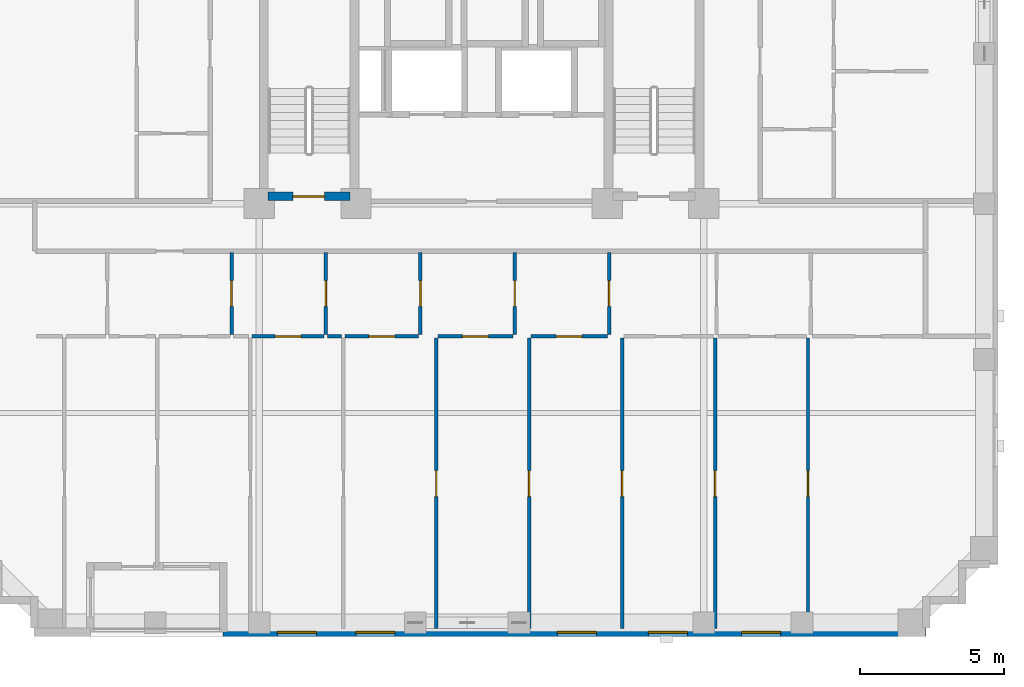
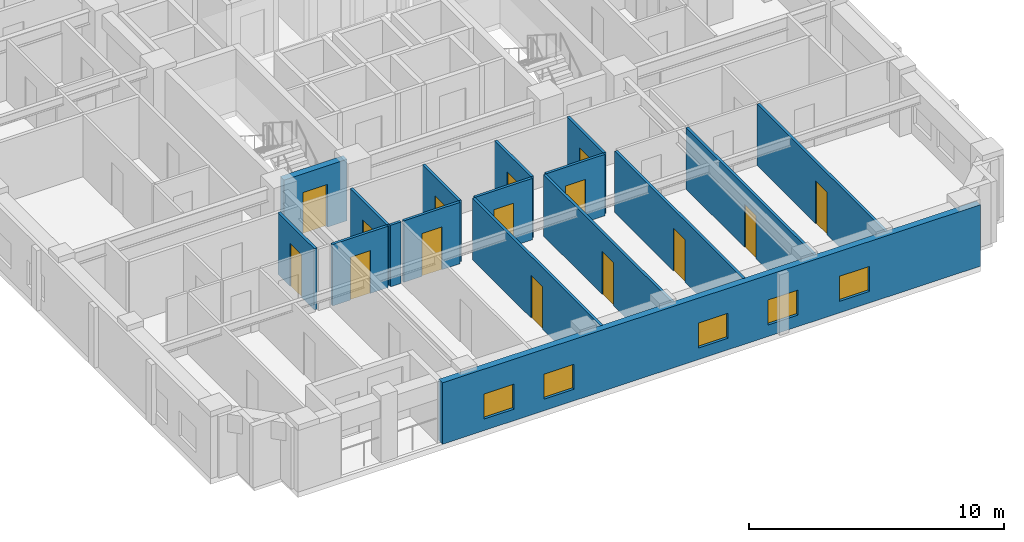
# One storey, part 3 of 13: 17 walls, 15 doors, 5 windows, 20 openings.
"""IFC4 building model written with IfcOpenShell, lengths in metres."""

from ifc_helpers import new_model, si_unit, derived_unit, direction, frame, frame_2d, origin, place, context, subcontext, project, spatial, rectangle, extrude, material, layer, layer_set, type_object, element, fill, save


model = new_model("IFC4")

# Units and contexts
model_context = context("Model", 3, precision=1e-05, world=origin(), true_north=direction((0.0, 1.0)))
body_context = subcontext(model_context, "Body", "Model", "MODEL_VIEW")
ifc_project = project(units=[si_unit("LENGTHUNIT", "METRE"), si_unit("AREAUNIT", "SQUARE_METRE"), si_unit("VOLUMEUNIT", "CUBIC_METRE"), si_unit("PLANEANGLEUNIT", "RADIAN"), si_unit("MASSUNIT", "GRAM", prefix="KILO"), derived_unit("THERMALTRANSMITTANCEUNIT", [(si_unit("MASSUNIT", "GRAM", prefix="KILO"), 1), (si_unit("TIMEUNIT", "SECOND"), -3), (si_unit("THERMODYNAMICTEMPERATUREUNIT", "KELVIN"), -1)])], contexts=[model_context])

# Site, building, storey
site_placement = place(None, origin())
site = spatial("IfcSite", under=ifc_project, at=site_placement, CompositionType="ELEMENT")
building_placement = place(site_placement, origin())
building = spatial("IfcBuilding", under=site, at=building_placement, Name="Korrvale Station Residences", CompositionType="ELEMENT")
storey_placement = place(building_placement, frame((0.0, 0.0, 97.5)))
storey = spatial("IfcBuildingStorey", under=building, at=storey_placement, Name="L27", CompositionType="ELEMENT", Elevation=97.5)

# Wall, opening, door
ifc_material_1 = material(Name="Concrete C60/75", Category="concrete")
ifc_layer_1 = layer(ifc_material_1, 0.300048828125, Name="Concrete C60/75")
ifc_layer_set_1 = layer_set([ifc_layer_1], Name="Concrete C60/75")
wall_type_1 = type_object("IfcWallType", Name="WAL-CORE-300-C60", PredefinedType="SHEAR", material=ifc_layer_set_1)
wall_1_placement = place(storey_placement, frame((18.10009765625, 15.25, 0.0), z_axis=(0.0, 0.0, 1.0), x_axis=(1.0, 0.0, 0.0)))
wall_1 = element("IfcWall", 1, at=wall_1_placement, inside=storey, type_object=wall_type_1, Name="L27 ST-1 Core Shear Wall South", PredefinedType="SHEAR", context=body_context, shape_type="SweptSolid", body=[
    extrude(rectangle(XDim=2.849853515625, YDim=0.300048828125, at=frame_2d((1.4248046875, 0.0))), origin(), (0.0, 0.0, 1.0), 2.93994140625),
])
opening_1_placement = place(wall_1_placement, frame((0.860107421875, 0.0, 0.0)))
opening_1 = element("IfcOpeningElement", 2, at=opening_1_placement, cuts=wall_1, Name="Opening SD-1100", PredefinedType="OPENING", context=body_context, shape_type="SweptSolid", body=[
    extrude(rectangle(XDim=1.10009765625, YDim=2.050048828125, at=frame_2d((0.550048828125, 1.02490234375))), frame((0.0, 0.16015625, 0.0), z_axis=(0.0, -1.0, 0.0), x_axis=(1.0, 0.0, 0.0)), (0.0, 0.0, 1.0), 0.320068359375),
])
ifc_material_2 = material(Name="Hollow-metal fire-rated stair door with closer", Category="steel")
door_type_1 = type_object("IfcDoorType", Name="DR-STAIR-1100", OperationType="NOTDEFINED", PredefinedType="DOOR", material=ifc_material_2)
door_1_placement = place(opening_1_placement, origin())
door_1 = element("IfcDoor", 3, at=door_1_placement, inside=storey, type_object=door_type_1, Name="L27 ST-1 Exit Stair Door", OperationType="SINGLE_SWING_LEFT", OverallHeight=2.050048828125, OverallWidth=1.10009765625, PredefinedType="DOOR", context=body_context, shape_type="SweptSolid", body=[
    extrude(rectangle(XDim=1.10009765625, YDim=2.050048828125, at=frame_2d((0.550048828125, 1.02490234375))), frame((0.0, 0.02490234375, 0.0), z_axis=(0.0, -1.0, 0.0), x_axis=(1.0, 0.0, 0.0)), (0.0, 0.0, 1.0), 0.050048828125),
])
fill(opening_1, door_1)

# Wall, openings, windows
ifc_material_3 = material(Name="Precast concrete C45/55", Category="concrete")
ifc_layer_2 = layer(ifc_material_3, 0.300048828125, Name="Precast concrete C45/55")
ifc_layer_set_2 = layer_set([ifc_layer_2], Name="Precast concrete C45/55")
wall_type_2 = type_object("IfcWallType", Name="WAL-EXT-PC300", PredefinedType="SOLIDWALL", material=ifc_layer_set_2)
wall_2_placement = place(storey_placement, frame((40.89990234375, 0.14990234375, 0.0), z_axis=(0.0, 0.0, 1.0), x_axis=(-1.0, 0.0, 0.0)))
wall_2 = element("IfcWall", 4, at=wall_2_placement, inside=storey, type_object=wall_type_2, Name="L27 South Exterior Precast Wall 1", PredefinedType="SOLIDWALL", context=body_context, shape_type="SweptSolid", body=[
    extrude(rectangle(XDim=24.349853515625, YDim=0.300048828125, at=frame_2d((12.1748046875, 0.0))), origin(), (0.0, 0.0, 1.0), 2.93994140625),
])
opening_2_placement = place(wall_2_placement, frame((21.118896484375, 0.0, 0.550048828125)))
opening_2 = element("IfcOpeningElement", 5, at=opening_2_placement, cuts=wall_2, Name="Opening W-10", PredefinedType="OPENING", context=body_context, shape_type="SweptSolid", body=[
    extrude(rectangle(XDim=1.35009765625, YDim=1.199951171875, at=frame_2d((0.675048828125, 0.60009765625))), frame((0.0, 0.16015625, 0.0), z_axis=(0.0, -1.0, 0.0), x_axis=(1.0, 0.0, 0.0)), (0.0, 0.0, 1.0), 0.320068359375),
])
opening_3_placement = place(wall_2_placement, frame((18.39990234375, 0.0, 0.550048828125)))
opening_3 = element("IfcOpeningElement", 6, at=opening_3_placement, cuts=wall_2, Name="Opening W-10", PredefinedType="OPENING", context=body_context, shape_type="SweptSolid", body=[
    extrude(rectangle(XDim=1.35009765625, YDim=1.199951171875, at=frame_2d((0.675048828125, 0.60009765625))), frame((0.0, 0.16015625, 0.0), z_axis=(0.0, -1.0, 0.0), x_axis=(1.0, 0.0, 0.0)), (0.0, 0.0, 1.0), 0.320068359375),
])
opening_4_placement = place(wall_2_placement, frame((11.424072265625, 0.0, 0.550048828125)))
opening_4 = element("IfcOpeningElement", 7, at=opening_4_placement, cuts=wall_2, Name="Opening W-10", PredefinedType="OPENING", context=body_context, shape_type="SweptSolid", body=[
    extrude(rectangle(XDim=1.35009765625, YDim=1.199951171875, at=frame_2d((0.675048828125, 0.60009765625))), frame((0.0, 0.16015625, 0.0), z_axis=(0.0, -1.0, 0.0), x_axis=(1.0, 0.0, 0.0)), (0.0, 0.0, 1.0), 0.320068359375),
])
opening_5_placement = place(wall_2_placement, frame((8.26806640625, 0.0, 0.550048828125)))
opening_5 = element("IfcOpeningElement", 8, at=opening_5_placement, cuts=wall_2, Name="Opening W-10", PredefinedType="OPENING", context=body_context, shape_type="SweptSolid", body=[
    extrude(rectangle(XDim=1.35009765625, YDim=1.199951171875, at=frame_2d((0.675048828125, 0.60009765625))), frame((0.0, 0.16015625, 0.0), z_axis=(0.0, -1.0, 0.0), x_axis=(1.0, 0.0, 0.0)), (0.0, 0.0, 1.0), 0.320068359375),
])
opening_6_placement = place(wall_2_placement, frame((5.037109375, 0.0, 0.550048828125)))
opening_6 = element("IfcOpeningElement", 9, at=opening_6_placement, cuts=wall_2, Name="Opening W-10", PredefinedType="OPENING", context=body_context, shape_type="SweptSolid", body=[
    extrude(rectangle(XDim=1.35009765625, YDim=1.199951171875, at=frame_2d((0.675048828125, 0.60009765625))), frame((0.0, 0.16015625, 0.0), z_axis=(0.0, -1.0, 0.0), x_axis=(1.0, 0.0, 0.0)), (0.0, 0.0, 1.0), 0.320068359375),
])
ifc_material_4 = material(Name="Thermally broken aluminium frame with triple low-e glazing", Category="aluminium")
window_type = type_object("IfcWindowType", Name="WIN-W10", PartitioningType="SINGLE_PANEL", PredefinedType="WINDOW", material=ifc_material_4)
window_1_placement = place(opening_2_placement, origin())
window_1 = element("IfcWindow", 10, at=window_1_placement, inside=storey, type_object=window_type, Name="L27 Punched Window 05", OverallHeight=1.199951171875, OverallWidth=1.35009765625, PartitioningType="SINGLE_PANEL", PredefinedType="WINDOW", context=body_context, shape_type="SweptSolid", body=[
    extrude(rectangle(XDim=1.35009765625, YDim=1.199951171875, at=frame_2d((0.675048828125, 0.60009765625))), frame((0.0, 0.030029296875, 0.0), z_axis=(0.0, -1.0, 0.0), x_axis=(1.0, 0.0, 0.0)), (0.0, 0.0, 1.0), 0.06005859375),
])
fill(opening_2, window_1)
window_2_placement = place(opening_3_placement, origin())
window_2 = element("IfcWindow", 11, at=window_2_placement, inside=storey, type_object=window_type, Name="L27 Punched Window 06", OverallHeight=1.199951171875, OverallWidth=1.35009765625, PartitioningType="SINGLE_PANEL", PredefinedType="WINDOW", context=body_context, shape_type="SweptSolid", body=[
    extrude(rectangle(XDim=1.35009765625, YDim=1.199951171875, at=frame_2d((0.675048828125, 0.60009765625))), frame((0.0, 0.030029296875, 0.0), z_axis=(0.0, -1.0, 0.0), x_axis=(1.0, 0.0, 0.0)), (0.0, 0.0, 1.0), 0.06005859375),
])
fill(opening_3, window_2)
window_3_placement = place(opening_4_placement, origin())
window_3 = element("IfcWindow", 12, at=window_3_placement, inside=storey, type_object=window_type, Name="L27 Punched Window 07", OverallHeight=1.199951171875, OverallWidth=1.35009765625, PartitioningType="SINGLE_PANEL", PredefinedType="WINDOW", context=body_context, shape_type="SweptSolid", body=[
    extrude(rectangle(XDim=1.35009765625, YDim=1.199951171875, at=frame_2d((0.675048828125, 0.60009765625))), frame((0.0, 0.030029296875, 0.0), z_axis=(0.0, -1.0, 0.0), x_axis=(1.0, 0.0, 0.0)), (0.0, 0.0, 1.0), 0.06005859375),
])
fill(opening_4, window_3)
window_4_placement = place(opening_5_placement, origin())
window_4 = element("IfcWindow", 13, at=window_4_placement, inside=storey, type_object=window_type, Name="L27 Punched Window 08", OverallHeight=1.199951171875, OverallWidth=1.35009765625, PartitioningType="SINGLE_PANEL", PredefinedType="WINDOW", context=body_context, shape_type="SweptSolid", body=[
    extrude(rectangle(XDim=1.35009765625, YDim=1.199951171875, at=frame_2d((0.675048828125, 0.60009765625))), frame((0.0, 0.030029296875, 0.0), z_axis=(0.0, -1.0, 0.0), x_axis=(1.0, 0.0, 0.0)), (0.0, 0.0, 1.0), 0.06005859375),
])
fill(opening_5, window_4)
window_5_placement = place(opening_6_placement, origin())
window_5 = element("IfcWindow", 14, at=window_5_placement, inside=storey, type_object=window_type, Name="L27 Punched Window 09", OverallHeight=1.199951171875, OverallWidth=1.35009765625, PartitioningType="SINGLE_PANEL", PredefinedType="WINDOW", context=body_context, shape_type="SweptSolid", body=[
    extrude(rectangle(XDim=1.35009765625, YDim=1.199951171875, at=frame_2d((0.675048828125, 0.60009765625))), frame((0.0, 0.030029296875, 0.0), z_axis=(0.0, -1.0, 0.0), x_axis=(1.0, 0.0, 0.0)), (0.0, 0.0, 1.0), 0.06005859375),
])
fill(opening_6, window_5)

# Wall, opening, door
ifc_material_5 = material(Name="Acoustic steel-stud gypsum board partition", Category="steel")
ifc_layer_3 = layer(ifc_material_5, 0.1201171875, Name="Acoustic steel-stud gypsum board partition")
ifc_layer_set_3 = layer_set([ifc_layer_3], Name="Acoustic steel-stud gypsum board partition")
wall_type_3 = type_object("IfcWallType", Name="WAL-PART-125", PredefinedType="PARTITIONING", material=ifc_layer_set_3)
wall_3_placement = place(storey_placement, frame((16.840087890625, 10.4599609375, 0.0), z_axis=(0.0, 0.0, 1.0), x_axis=(0.0, 1.0, 0.0)))
wall_3 = element("IfcWall", 15, at=wall_3_placement, inside=storey, type_object=wall_type_3, Name="L27 Suite Partition U01-V12", PredefinedType="PARTITIONING", context=body_context, shape_type="SweptSolid", body=[
    extrude(rectangle(XDim=2.85009765625, YDim=0.1201171875, at=frame_2d((1.425048828125, 0.0))), origin(), (0.0, 0.0, 1.0), 2.93994140625),
])
opening_7_placement = place(wall_3_placement, frame((0.97509765625, 0.0, 0.0)))
opening_7 = element("IfcOpeningElement", 16, at=opening_7_placement, cuts=wall_3, Name="Opening DI-900", PredefinedType="OPENING", context=body_context, shape_type="SweptSolid", body=[
    extrude(rectangle(XDim=0.89990234375, YDim=2.050048828125, at=frame_2d((0.449951171875, 1.02490234375))), frame((0.0, 0.070068359375, 0.0), z_axis=(0.0, -1.0, 0.0), x_axis=(1.0, 0.0, 0.0)), (0.0, 0.0, 1.0), 0.14013671875),
])
ifc_material_6 = material(Name="Painted solid-core timber interior room door", Category="wood")
door_type_2 = type_object("IfcDoorType", Name="DR-INT-900", OperationType="NOTDEFINED", PredefinedType="DOOR", material=ifc_material_6)
door_2_placement = place(opening_7_placement, origin())
door_2 = element("IfcDoor", 17, at=door_2_placement, inside=storey, type_object=door_type_2, Name="L27 Studio Apartment L27-U01 Kitchen Door", OperationType="SINGLE_SWING_LEFT", OverallHeight=2.050048828125, OverallWidth=0.89990234375, PredefinedType="DOOR", context=body_context, shape_type="SweptSolid", body=[
    extrude(rectangle(XDim=0.89990234375, YDim=2.050048828125, at=frame_2d((0.449951171875, 1.02490234375))), frame((0.0, 0.02490234375, 0.0), z_axis=(0.0, -1.0, 0.0), x_axis=(1.0, 0.0, 0.0)), (0.0, 0.0, 1.0), 0.050048828125),
])
fill(opening_7, door_2)

wall_4_placement = place(storey_placement, frame((20.110107421875, 10.4599609375, 0.0), z_axis=(0.0, 0.0, 1.0), x_axis=(0.0, 1.0, 0.0)))
wall_4 = element("IfcWall", 18, at=wall_4_placement, inside=storey, type_object=wall_type_3, Name="L27 Suite Partition U01-V23", PredefinedType="PARTITIONING", context=body_context, shape_type="SweptSolid", body=[
    extrude(rectangle(XDim=2.85009765625, YDim=0.1201171875, at=frame_2d((1.425048828125, 0.0))), origin(), (0.0, 0.0, 1.0), 2.93994140625),
])
opening_8_placement = place(wall_4_placement, frame((0.97509765625, 0.0, 0.0)))
opening_8 = element("IfcOpeningElement", 19, at=opening_8_placement, cuts=wall_4, Name="Opening DI-900", PredefinedType="OPENING", context=body_context, shape_type="SweptSolid", body=[
    extrude(rectangle(XDim=0.89990234375, YDim=2.050048828125, at=frame_2d((0.449951171875, 1.02490234375))), frame((0.0, 0.070068359375, 0.0), z_axis=(0.0, -1.0, 0.0), x_axis=(1.0, 0.0, 0.0)), (0.0, 0.0, 1.0), 0.14013671875),
])
door_3_placement = place(opening_8_placement, origin())
door_3 = element("IfcDoor", 20, at=door_3_placement, inside=storey, type_object=door_type_2, Name="L27 Studio Apartment L27-U01 Home Study Room Door", OperationType="SINGLE_SWING_RIGHT", OverallHeight=2.050048828125, OverallWidth=0.89990234375, PredefinedType="DOOR", context=body_context, shape_type="SweptSolid", body=[
    extrude(rectangle(XDim=0.89990234375, YDim=2.050048828125, at=frame_2d((0.449951171875, 1.02490234375))), frame((0.0, 0.02490234375, 0.0), z_axis=(0.0, -1.0, 0.0), x_axis=(1.0, 0.0, 0.0)), (0.0, 0.0, 1.0), 0.050048828125),
])
fill(opening_8, door_3)

wall_5_placement = place(storey_placement, frame((17.550048828125, 10.39990234375, 0.0), z_axis=(0.0, 0.0, 1.0), x_axis=(1.0, 0.0, 0.0)))
wall_5 = element("IfcWall", 21, at=wall_5_placement, inside=storey, type_object=wall_type_3, Name="L27 Suite Partition U01-H212", PredefinedType="PARTITIONING", context=body_context, shape_type="SweptSolid", body=[
    extrude(rectangle(XDim=2.5, YDim=0.1201171875, at=frame_2d((1.25, 0.0))), origin(), (0.0, 0.0, 1.0), 2.93994140625),
])
opening_9_placement = place(wall_5_placement, frame((0.800048828125, 0.0, 0.0)))
opening_9 = element("IfcOpeningElement", 22, at=opening_9_placement, cuts=wall_5, Name="Opening DI-900", PredefinedType="OPENING", context=body_context, shape_type="SweptSolid", body=[
    extrude(rectangle(XDim=0.89990234375, YDim=2.050048828125, at=frame_2d((0.449951171875, 1.02490234375))), frame((0.0, 0.070068359375, 0.0), z_axis=(0.0, -1.0, 0.0), x_axis=(1.0, 0.0, 0.0)), (0.0, 0.0, 1.0), 0.14013671875),
])
door_4_placement = place(opening_9_placement, origin())
door_4 = element("IfcDoor", 23, at=door_4_placement, inside=storey, type_object=door_type_2, Name="L27 Studio Apartment L27-U01 Home Study Room Door", OperationType="SINGLE_SWING_LEFT", OverallHeight=2.050048828125, OverallWidth=0.89990234375, PredefinedType="DOOR", context=body_context, shape_type="SweptSolid", body=[
    extrude(rectangle(XDim=0.89990234375, YDim=2.050048828125, at=frame_2d((0.449951171875, 1.02490234375))), frame((0.0, 0.02490234375, 0.0), z_axis=(0.0, -1.0, 0.0), x_axis=(1.0, 0.0, 0.0)), (0.0, 0.0, 1.0), 0.050048828125),
])
fill(opening_9, door_4)

wall_6_placement = place(storey_placement, frame((23.3798828125, 10.4599609375, 0.0), z_axis=(0.0, 0.0, 1.0), x_axis=(0.0, 1.0, 0.0)))
wall_6 = element("IfcWall", 24, at=wall_6_placement, inside=storey, type_object=wall_type_3, Name="L27 Suite Partition U01-V34", PredefinedType="PARTITIONING", context=body_context, shape_type="SweptSolid", body=[
    extrude(rectangle(XDim=2.85009765625, YDim=0.1201171875, at=frame_2d((1.425048828125, 0.0))), origin(), (0.0, 0.0, 1.0), 2.93994140625),
])
opening_10_placement = place(wall_6_placement, frame((0.97509765625, 0.0, 0.0)))
opening_10 = element("IfcOpeningElement", 25, at=opening_10_placement, cuts=wall_6, Name="Opening DI-900", PredefinedType="OPENING", context=body_context, shape_type="SweptSolid", body=[
    extrude(rectangle(XDim=0.89990234375, YDim=2.050048828125, at=frame_2d((0.449951171875, 1.02490234375))), frame((0.0, 0.070068359375, 0.0), z_axis=(0.0, -1.0, 0.0), x_axis=(1.0, 0.0, 0.0)), (0.0, 0.0, 1.0), 0.14013671875),
])
door_5_placement = place(opening_10_placement, origin())
door_5 = element("IfcDoor", 26, at=door_5_placement, inside=storey, type_object=door_type_2, Name="L27 Studio Apartment L27-U01 Home Study Room Door", OperationType="SINGLE_SWING_RIGHT", OverallHeight=2.050048828125, OverallWidth=0.89990234375, PredefinedType="DOOR", context=body_context, shape_type="SweptSolid", body=[
    extrude(rectangle(XDim=0.89990234375, YDim=2.050048828125, at=frame_2d((0.449951171875, 1.02490234375))), frame((0.0, 0.02490234375, 0.0), z_axis=(0.0, -1.0, 0.0), x_axis=(1.0, 0.0, 0.0)), (0.0, 0.0, 1.0), 0.050048828125),
])
fill(opening_10, door_5)

# Wall
wall_7_placement = place(storey_placement, frame((20.169921875, 10.39990234375, 0.0), z_axis=(0.0, 0.0, 1.0), x_axis=(1.0, 0.0, 0.0)))
element("IfcWall", 27, at=wall_7_placement, inside=storey, type_object=wall_type_3, Name="L27 Suite Partition U01-H312", PredefinedType="PARTITIONING", context=body_context, shape_type="SweptSolid", body=[
    extrude(rectangle(XDim=0.47998046875, YDim=0.1201171875, at=frame_2d((0.239990234375, 0.0))), origin(), (0.0, 0.0, 1.0), 2.93994140625),
])

# Wall, opening, door
wall_8_placement = place(storey_placement, frame((20.77001953125, 10.39990234375, 0.0), z_axis=(0.0, 0.0, 1.0), x_axis=(1.0, 0.0, 0.0)))
wall_8 = element("IfcWall", 28, at=wall_8_placement, inside=storey, type_object=wall_type_3, Name="L27 Suite Partition U01-H313", PredefinedType="PARTITIONING", context=body_context, shape_type="SweptSolid", body=[
    extrude(rectangle(XDim=2.550048828125, YDim=0.1201171875, at=frame_2d((1.27490234375, 0.0))), origin(), (0.0, 0.0, 1.0), 2.93994140625),
])
opening_11_placement = place(wall_8_placement, frame((0.824951171875, 0.0, 0.0)))
opening_11 = element("IfcOpeningElement", 29, at=opening_11_placement, cuts=wall_8, Name="Opening DI-900", PredefinedType="OPENING", context=body_context, shape_type="SweptSolid", body=[
    extrude(rectangle(XDim=0.89990234375, YDim=2.050048828125, at=frame_2d((0.449951171875, 1.02490234375))), frame((0.0, 0.070068359375, 0.0), z_axis=(0.0, -1.0, 0.0), x_axis=(1.0, 0.0, 0.0)), (0.0, 0.0, 1.0), 0.14013671875),
])
door_6_placement = place(opening_11_placement, origin())
door_6 = element("IfcDoor", 30, at=door_6_placement, inside=storey, type_object=door_type_2, Name="L27 Studio Apartment L27-U01 Home Study Room Door", OperationType="SINGLE_SWING_LEFT", OverallHeight=2.050048828125, OverallWidth=0.89990234375, PredefinedType="DOOR", context=body_context, shape_type="SweptSolid", body=[
    extrude(rectangle(XDim=0.89990234375, YDim=2.050048828125, at=frame_2d((0.449951171875, 1.02490234375))), frame((0.0, 0.02490234375, 0.0), z_axis=(0.0, -1.0, 0.0), x_axis=(1.0, 0.0, 0.0)), (0.0, 0.0, 1.0), 0.050048828125),
])
fill(opening_11, door_6)

wall_9_placement = place(storey_placement, frame((26.64990234375, 10.4599609375, 0.0), z_axis=(0.0, 0.0, 1.0), x_axis=(0.0, 1.0, 0.0)))
wall_9 = element("IfcWall", 31, at=wall_9_placement, inside=storey, type_object=wall_type_3, Name="L27 Suite Partition U01-V45", PredefinedType="PARTITIONING", context=body_context, shape_type="SweptSolid", body=[
    extrude(rectangle(XDim=2.85009765625, YDim=0.1201171875, at=frame_2d((1.425048828125, 0.0))), origin(), (0.0, 0.0, 1.0), 2.93994140625),
])
opening_12_placement = place(wall_9_placement, frame((0.97509765625, 0.0, 0.0)))
opening_12 = element("IfcOpeningElement", 32, at=opening_12_placement, cuts=wall_9, Name="Opening DI-900", PredefinedType="OPENING", context=body_context, shape_type="SweptSolid", body=[
    extrude(rectangle(XDim=0.89990234375, YDim=2.050048828125, at=frame_2d((0.449951171875, 1.02490234375))), frame((0.0, 0.070068359375, 0.0), z_axis=(0.0, -1.0, 0.0), x_axis=(1.0, 0.0, 0.0)), (0.0, 0.0, 1.0), 0.14013671875),
])
door_7_placement = place(opening_12_placement, origin())
door_7 = element("IfcDoor", 33, at=door_7_placement, inside=storey, type_object=door_type_2, Name="L27 Studio Apartment L27-U01 Home Study Room Door", OperationType="SINGLE_SWING_RIGHT", OverallHeight=2.050048828125, OverallWidth=0.89990234375, PredefinedType="DOOR", context=body_context, shape_type="SweptSolid", body=[
    extrude(rectangle(XDim=0.89990234375, YDim=2.050048828125, at=frame_2d((0.449951171875, 1.02490234375))), frame((0.0, 0.02490234375, 0.0), z_axis=(0.0, -1.0, 0.0), x_axis=(1.0, 0.0, 0.0)), (0.0, 0.0, 1.0), 0.050048828125),
])
fill(opening_12, door_7)

wall_10_placement = place(storey_placement, frame((23.989990234375, 10.39990234375, 0.0), z_axis=(0.0, 0.0, 1.0), x_axis=(1.0, 0.0, 0.0)))
wall_10 = element("IfcWall", 34, at=wall_10_placement, inside=storey, type_object=wall_type_3, Name="L27 Suite Partition U01-H414", PredefinedType="PARTITIONING", context=body_context, shape_type="SweptSolid", body=[
    extrude(rectangle(XDim=2.60009765625, YDim=0.1201171875, at=frame_2d((1.300048828125, 0.0))), origin(), (0.0, 0.0, 1.0), 2.93994140625),
])
opening_13_placement = place(wall_10_placement, frame((0.85009765625, 0.0, 0.0)))
opening_13 = element("IfcOpeningElement", 35, at=opening_13_placement, cuts=wall_10, Name="Opening DI-900", PredefinedType="OPENING", context=body_context, shape_type="SweptSolid", body=[
    extrude(rectangle(XDim=0.89990234375, YDim=2.050048828125, at=frame_2d((0.449951171875, 1.02490234375))), frame((0.0, 0.070068359375, 0.0), z_axis=(0.0, -1.0, 0.0), x_axis=(1.0, 0.0, 0.0)), (0.0, 0.0, 1.0), 0.14013671875),
])
door_8_placement = place(opening_13_placement, origin())
door_8 = element("IfcDoor", 36, at=door_8_placement, inside=storey, type_object=door_type_2, Name="L27 Studio Apartment L27-U01 Home Study Room Door", OperationType="SINGLE_SWING_LEFT", OverallHeight=2.050048828125, OverallWidth=0.89990234375, PredefinedType="DOOR", context=body_context, shape_type="SweptSolid", body=[
    extrude(rectangle(XDim=0.89990234375, YDim=2.050048828125, at=frame_2d((0.449951171875, 1.02490234375))), frame((0.0, 0.02490234375, 0.0), z_axis=(0.0, -1.0, 0.0), x_axis=(1.0, 0.0, 0.0)), (0.0, 0.0, 1.0), 0.050048828125),
])
fill(opening_13, door_8)

wall_11_placement = place(storey_placement, frame((29.919921875, 10.4599609375, 0.0), z_axis=(0.0, 0.0, 1.0), x_axis=(0.0, 1.0, 0.0)))
wall_11 = element("IfcWall", 37, at=wall_11_placement, inside=storey, type_object=wall_type_3, Name="L27 Suite Partition U01-V56", PredefinedType="PARTITIONING", context=body_context, shape_type="SweptSolid", body=[
    extrude(rectangle(XDim=2.85009765625, YDim=0.1201171875, at=frame_2d((1.425048828125, 0.0))), origin(), (0.0, 0.0, 1.0), 2.93994140625),
])
opening_14_placement = place(wall_11_placement, frame((0.97509765625, 0.0, 0.0)))
opening_14 = element("IfcOpeningElement", 38, at=opening_14_placement, cuts=wall_11, Name="Opening DI-900", PredefinedType="OPENING", context=body_context, shape_type="SweptSolid", body=[
    extrude(rectangle(XDim=0.89990234375, YDim=2.050048828125, at=frame_2d((0.449951171875, 1.02490234375))), frame((0.0, 0.070068359375, 0.0), z_axis=(0.0, -1.0, 0.0), x_axis=(1.0, 0.0, 0.0)), (0.0, 0.0, 1.0), 0.14013671875),
])
door_9_placement = place(opening_14_placement, origin())
door_9 = element("IfcDoor", 39, at=door_9_placement, inside=storey, type_object=door_type_2, Name="L27 Studio Apartment L27-U01 Home Study Room Door", OperationType="SINGLE_SWING_RIGHT", OverallHeight=2.050048828125, OverallWidth=0.89990234375, PredefinedType="DOOR", context=body_context, shape_type="SweptSolid", body=[
    extrude(rectangle(XDim=0.89990234375, YDim=2.050048828125, at=frame_2d((0.449951171875, 1.02490234375))), frame((0.0, 0.02490234375, 0.0), z_axis=(0.0, -1.0, 0.0), x_axis=(1.0, 0.0, 0.0)), (0.0, 0.0, 1.0), 0.050048828125),
])
fill(opening_14, door_9)

wall_12_placement = place(storey_placement, frame((27.2099609375, 10.39990234375, 0.0), z_axis=(0.0, 0.0, 1.0), x_axis=(1.0, 0.0, 0.0)))
wall_12 = element("IfcWall", 40, at=wall_12_placement, inside=storey, type_object=wall_type_3, Name="L27 Suite Partition U01-H515", PredefinedType="PARTITIONING", context=body_context, shape_type="SweptSolid", body=[
    extrude(rectangle(XDim=2.650146484375, YDim=0.1201171875, at=frame_2d((1.3251953125, 0.0))), origin(), (0.0, 0.0, 1.0), 2.93994140625),
])
opening_15_placement = place(wall_12_placement, frame((0.875, 0.0, 0.0)))
opening_15 = element("IfcOpeningElement", 41, at=opening_15_placement, cuts=wall_12, Name="Opening DI-900", PredefinedType="OPENING", context=body_context, shape_type="SweptSolid", body=[
    extrude(rectangle(XDim=0.89990234375, YDim=2.050048828125, at=frame_2d((0.449951171875, 1.02490234375))), frame((0.0, 0.070068359375, 0.0), z_axis=(0.0, -1.0, 0.0), x_axis=(1.0, 0.0, 0.0)), (0.0, 0.0, 1.0), 0.14013671875),
])
door_10_placement = place(opening_15_placement, origin())
door_10 = element("IfcDoor", 42, at=door_10_placement, inside=storey, type_object=door_type_2, Name="L27 Studio Apartment L27-U01 Home Study Room Door", OperationType="SINGLE_SWING_LEFT", OverallHeight=2.050048828125, OverallWidth=0.89990234375, PredefinedType="DOOR", context=body_context, shape_type="SweptSolid", body=[
    extrude(rectangle(XDim=0.89990234375, YDim=2.050048828125, at=frame_2d((0.449951171875, 1.02490234375))), frame((0.0, 0.02490234375, 0.0), z_axis=(0.0, -1.0, 0.0), x_axis=(1.0, 0.0, 0.0)), (0.0, 0.0, 1.0), 0.050048828125),
])
fill(opening_15, door_10)

wall_13_placement = place(storey_placement, frame((23.929931640625, 0.280029296875, 0.0), z_axis=(0.0, 0.0, 1.0), x_axis=(0.0, 1.0, 0.0)))
wall_13 = element("IfcWall", 43, at=wall_13_placement, inside=storey, type_object=wall_type_3, Name="L27 Suite Partition U01-V1314", PredefinedType="PARTITIONING", context=body_context, shape_type="SweptSolid", body=[
    extrude(rectangle(XDim=10.06005859375, YDim=0.1201171875, at=frame_2d((5.030029296875, 0.0))), origin(), (0.0, 0.0, 1.0), 2.93994140625),
])
opening_16_placement = place(wall_13_placement, frame((4.56494140625, 0.0, 0.0)))
opening_16 = element("IfcOpeningElement", 44, at=opening_16_placement, cuts=wall_13, Name="Opening DI-900", PredefinedType="OPENING", context=body_context, shape_type="SweptSolid", body=[
    extrude(rectangle(XDim=0.89990234375, YDim=2.050048828125, at=frame_2d((0.449951171875, 1.02490234375))), frame((0.0, 0.070068359375, 0.0), z_axis=(0.0, -1.0, 0.0), x_axis=(1.0, 0.0, 0.0)), (0.0, 0.0, 1.0), 0.14013671875),
])
door_11_placement = place(opening_16_placement, origin())
door_11 = element("IfcDoor", 45, at=door_11_placement, inside=storey, type_object=door_type_2, Name="L27 Studio Apartment L27-U01 Formal Dining Room Door", OperationType="SINGLE_SWING_LEFT", OverallHeight=2.050048828125, OverallWidth=0.89990234375, PredefinedType="DOOR", context=body_context, shape_type="SweptSolid", body=[
    extrude(rectangle(XDim=0.89990234375, YDim=2.050048828125, at=frame_2d((0.449951171875, 1.02490234375))), frame((0.0, 0.02490234375, 0.0), z_axis=(0.0, -1.0, 0.0), x_axis=(1.0, 0.0, 0.0)), (0.0, 0.0, 1.0), 0.050048828125),
])
fill(opening_16, door_11)

wall_14_placement = place(storey_placement, frame((27.14990234375, 0.280029296875, 0.0), z_axis=(0.0, 0.0, 1.0), x_axis=(0.0, 1.0, 0.0)))
wall_14 = element("IfcWall", 46, at=wall_14_placement, inside=storey, type_object=wall_type_3, Name="L27 Suite Partition U01-V1415", PredefinedType="PARTITIONING", context=body_context, shape_type="SweptSolid", body=[
    extrude(rectangle(XDim=10.06005859375, YDim=0.1201171875, at=frame_2d((5.030029296875, 0.0))), origin(), (0.0, 0.0, 1.0), 2.93994140625),
])
opening_17_placement = place(wall_14_placement, frame((4.56494140625, 0.0, 0.0)))
opening_17 = element("IfcOpeningElement", 47, at=opening_17_placement, cuts=wall_14, Name="Opening DI-900", PredefinedType="OPENING", context=body_context, shape_type="SweptSolid", body=[
    extrude(rectangle(XDim=0.89990234375, YDim=2.050048828125, at=frame_2d((0.449951171875, 1.02490234375))), frame((0.0, 0.070068359375, 0.0), z_axis=(0.0, -1.0, 0.0), x_axis=(1.0, 0.0, 0.0)), (0.0, 0.0, 1.0), 0.14013671875),
])
door_12_placement = place(opening_17_placement, origin())
door_12 = element("IfcDoor", 48, at=door_12_placement, inside=storey, type_object=door_type_2, Name="L27 Studio Apartment L27-U01 Walk-In Wardrobe Door", OperationType="SINGLE_SWING_RIGHT", OverallHeight=2.050048828125, OverallWidth=0.89990234375, PredefinedType="DOOR", context=body_context, shape_type="SweptSolid", body=[
    extrude(rectangle(XDim=0.89990234375, YDim=2.050048828125, at=frame_2d((0.449951171875, 1.02490234375))), frame((0.0, 0.02490234375, 0.0), z_axis=(0.0, -1.0, 0.0), x_axis=(1.0, 0.0, 0.0)), (0.0, 0.0, 1.0), 0.050048828125),
])
fill(opening_17, door_12)

wall_15_placement = place(storey_placement, frame((30.3701171875, 0.280029296875, 0.0), z_axis=(0.0, 0.0, 1.0), x_axis=(0.0, 1.0, 0.0)))
wall_15 = element("IfcWall", 49, at=wall_15_placement, inside=storey, type_object=wall_type_3, Name="L27 Suite Partition U01-V1516", PredefinedType="PARTITIONING", context=body_context, shape_type="SweptSolid", body=[
    extrude(rectangle(XDim=10.06005859375, YDim=0.1201171875, at=frame_2d((5.030029296875, 0.0))), origin(), (0.0, 0.0, 1.0), 2.93994140625),
])
opening_18_placement = place(wall_15_placement, frame((4.56494140625, 0.0, 0.0)))
opening_18 = element("IfcOpeningElement", 50, at=opening_18_placement, cuts=wall_15, Name="Opening DI-900", PredefinedType="OPENING", context=body_context, shape_type="SweptSolid", body=[
    extrude(rectangle(XDim=0.89990234375, YDim=2.050048828125, at=frame_2d((0.449951171875, 1.02490234375))), frame((0.0, 0.070068359375, 0.0), z_axis=(0.0, -1.0, 0.0), x_axis=(1.0, 0.0, 0.0)), (0.0, 0.0, 1.0), 0.14013671875),
])
door_13_placement = place(opening_18_placement, origin())
door_13 = element("IfcDoor", 51, at=door_13_placement, inside=storey, type_object=door_type_2, Name="L27 Studio Apartment L27-U01 Formal Dining Room Door", OperationType="SINGLE_SWING_LEFT", OverallHeight=2.050048828125, OverallWidth=0.89990234375, PredefinedType="DOOR", context=body_context, shape_type="SweptSolid", body=[
    extrude(rectangle(XDim=0.89990234375, YDim=2.050048828125, at=frame_2d((0.449951171875, 1.02490234375))), frame((0.0, 0.02490234375, 0.0), z_axis=(0.0, -1.0, 0.0), x_axis=(1.0, 0.0, 0.0)), (0.0, 0.0, 1.0), 0.050048828125),
])
fill(opening_18, door_13)

wall_16_placement = place(storey_placement, frame((33.590087890625, 0.280029296875, 0.0), z_axis=(0.0, 0.0, 1.0), x_axis=(0.0, 1.0, 0.0)))
wall_16 = element("IfcWall", 52, at=wall_16_placement, inside=storey, type_object=wall_type_3, Name="L27 Suite Partition U01-V1617", PredefinedType="PARTITIONING", context=body_context, shape_type="SweptSolid", body=[
    extrude(rectangle(XDim=10.06005859375, YDim=0.1201171875, at=frame_2d((5.030029296875, 0.0))), origin(), (0.0, 0.0, 1.0), 2.93994140625),
])
opening_19_placement = place(wall_16_placement, frame((4.56494140625, 0.0, 0.0)))
opening_19 = element("IfcOpeningElement", 53, at=opening_19_placement, cuts=wall_16, Name="Opening DI-900", PredefinedType="OPENING", context=body_context, shape_type="SweptSolid", body=[
    extrude(rectangle(XDim=0.89990234375, YDim=2.050048828125, at=frame_2d((0.449951171875, 1.02490234375))), frame((0.0, 0.070068359375, 0.0), z_axis=(0.0, -1.0, 0.0), x_axis=(1.0, 0.0, 0.0)), (0.0, 0.0, 1.0), 0.14013671875),
])
door_14_placement = place(opening_19_placement, origin())
door_14 = element("IfcDoor", 54, at=door_14_placement, inside=storey, type_object=door_type_2, Name="L27 Studio Apartment L27-U01 Formal Dining Room Door", OperationType="SINGLE_SWING_RIGHT", OverallHeight=2.050048828125, OverallWidth=0.89990234375, PredefinedType="DOOR", context=body_context, shape_type="SweptSolid", body=[
    extrude(rectangle(XDim=0.89990234375, YDim=2.050048828125, at=frame_2d((0.449951171875, 1.02490234375))), frame((0.0, 0.02490234375, 0.0), z_axis=(0.0, -1.0, 0.0), x_axis=(1.0, 0.0, 0.0)), (0.0, 0.0, 1.0), 0.050048828125),
])
fill(opening_19, door_14)

wall_17_placement = place(storey_placement, frame((36.81005859375, 0.280029296875, 0.0), z_axis=(0.0, 0.0, 1.0), x_axis=(0.0, 1.0, 0.0)))
wall_17 = element("IfcWall", 55, at=wall_17_placement, inside=storey, type_object=wall_type_3, Name="L27 Suite Partition U01-V1718", PredefinedType="PARTITIONING", context=body_context, shape_type="SweptSolid", body=[
    extrude(rectangle(XDim=10.06005859375, YDim=0.1201171875, at=frame_2d((5.030029296875, 0.0))), origin(), (0.0, 0.0, 1.0), 2.93994140625),
])
opening_20_placement = place(wall_17_placement, frame((4.56494140625, 0.0, 0.0)))
opening_20 = element("IfcOpeningElement", 56, at=opening_20_placement, cuts=wall_17, Name="Opening DI-900", PredefinedType="OPENING", context=body_context, shape_type="SweptSolid", body=[
    extrude(rectangle(XDim=0.89990234375, YDim=2.050048828125, at=frame_2d((0.449951171875, 1.02490234375))), frame((0.0, 0.070068359375, 0.0), z_axis=(0.0, -1.0, 0.0), x_axis=(1.0, 0.0, 0.0)), (0.0, 0.0, 1.0), 0.14013671875),
])
door_15_placement = place(opening_20_placement, origin())
door_15 = element("IfcDoor", 57, at=door_15_placement, inside=storey, type_object=door_type_2, Name="L27 Studio Apartment L27-U01 Formal Dining Room Door", OperationType="SINGLE_SWING_LEFT", OverallHeight=2.050048828125, OverallWidth=0.89990234375, PredefinedType="DOOR", context=body_context, shape_type="SweptSolid", body=[
    extrude(rectangle(XDim=0.89990234375, YDim=2.050048828125, at=frame_2d((0.449951171875, 1.02490234375))), frame((0.0, 0.02490234375, 0.0), z_axis=(0.0, -1.0, 0.0), x_axis=(1.0, 0.0, 0.0)), (0.0, 0.0, 1.0), 0.050048828125),
])
fill(opening_20, door_15)

save(model, "model.ifc")
